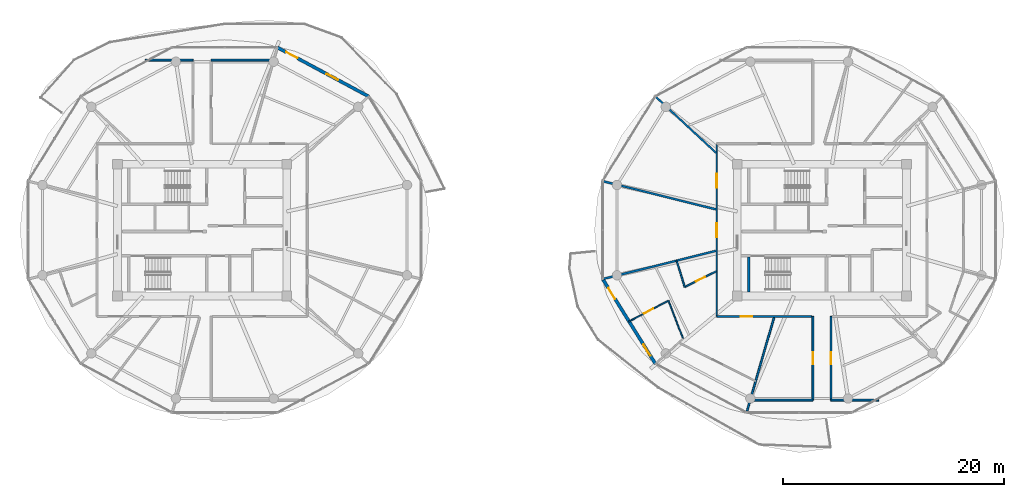
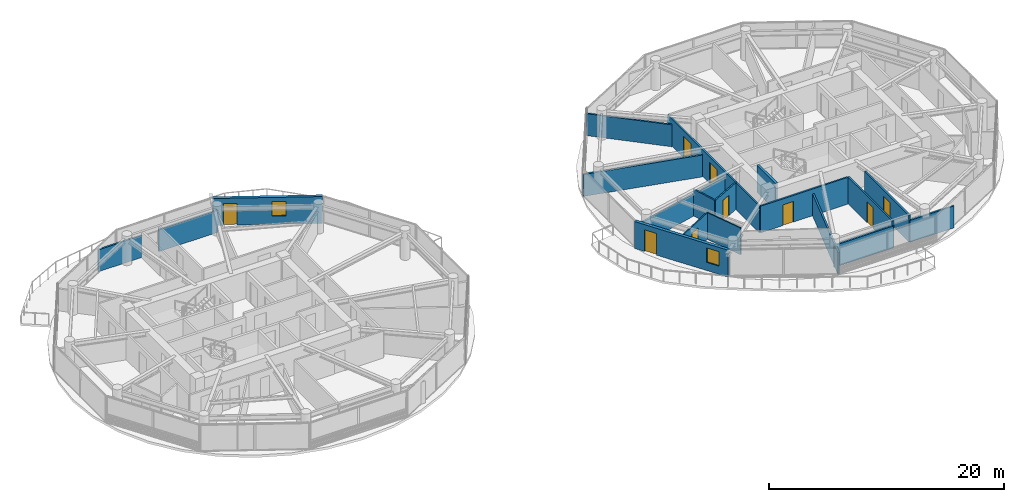
# One storey, part 17 of 23: 19 walls, 9 doors, 2 windows, 11 openings.
"""IFC4 building model written with IfcOpenShell, lengths in metres."""

from ifc_helpers import new_model, si_unit, direction, frame, frame_2d, origin, place, context, subcontext, project, spatial, rectangle, extrude, source, transform, mapped, material, layer, layer_set, type_object, type_shapes, element, fill, save


model = new_model("IFC4")

# Units and contexts
model_context = context("Model", 3, precision=1e-05, world=origin(), true_north=direction((0.0, 1.0)))
body_context = subcontext(model_context, "Body", "Model", "MODEL_VIEW")
ifc_project = project(units=[si_unit("LENGTHUNIT", "METRE"), si_unit("AREAUNIT", "SQUARE_METRE"), si_unit("VOLUMEUNIT", "CUBIC_METRE"), si_unit("PLANEANGLEUNIT", "RADIAN"), si_unit("MASSUNIT", "GRAM", prefix="KILO")], contexts=[model_context])

# Site, building, storey
site_placement = place(None, origin())
site = spatial("IfcSite", under=ifc_project, at=site_placement, CompositionType="ELEMENT")
building_placement = place(site_placement, origin())
building = spatial("IfcBuilding", under=site, at=building_placement, Name="Norrkilde Senior Care Towers", CompositionType="ELEMENT")
storey_placement = place(building_placement, frame((0.0, 0.0, 81.0)))
storey = spatial("IfcBuildingStorey", under=building, at=storey_placement, Name="L24", CompositionType="ELEMENT", Elevation=81.0)

# Wall, openings, door, window
ifc_material_1 = material(Name="Precast concrete C45/55", Category="concrete")
ifc_layer_1 = layer(ifc_material_1, 0.2900390625)
ifc_layer_set_1 = layer_set([ifc_layer_1], Name="Precast concrete C45/55")
wall_type_1 = type_object("IfcWallType", Name="Winter Garden Facade Wall 290", PredefinedType="SOLIDWALL", material=ifc_layer_set_1)
shared_shape_1 = source(origin(), body_context, "Body", "SweptSolid", [
    extrude(rectangle(XDim=9.3505859375, YDim=0.2900390625, at=frame_2d((4.67529296875, 0.0))), origin(), (0.0, 0.0, 1.0), 2.7900390625),
])
wall_1_placement = place(storey_placement, frame((-21.19287109375, 16.498046875, 0.0), z_axis=(0.0, 0.0, 1.0), x_axis=(0.881184411073, -0.472772708267, 0.0)))
wall_1 = element("IfcWall", 1, at=wall_1_placement, inside=storey, type_object=wall_type_1, Name="L24 Drum W Balcony Access Wall 01", PredefinedType="SOLIDWALL", context=body_context, shape_type="MappedRepresentation", body=[
    mapped(shared_shape_1, transform((0.0, 0.0, 0.0), x_axis=(1.0, 0.0, 0.0), y_axis=(0.0, 1.0, 0.0), z_axis=(0.0, 0.0, 1.0), scale=1.0)),
])
opening_1_placement = place(wall_1_placement, frame((0.89990234375, 0.0, 0.0)))
opening_1 = element("IfcOpeningElement", 2, at=opening_1_placement, cuts=wall_1, Name="Opening D-09", PredefinedType="OPENING", context=body_context, shape_type="SweptSolid", body=[
    extrude(rectangle(XDim=1.14990234375, YDim=2.25, at=frame_2d((0.574951171875, 1.125))), frame((0.0, 0.155029296875, 0.0), z_axis=(0.0, -1.0, 0.0), x_axis=(1.0, 0.0, 0.0)), (0.0, 0.0, 1.0), 0.31005859375),
])
opening_2_placement = place(wall_1_placement, frame((5.025146484375, 0.0, 0.85009765625)))
opening_2 = element("IfcOpeningElement", 3, at=opening_2_placement, cuts=wall_1, Name="Opening WN-07", PredefinedType="OPENING", context=body_context, shape_type="SweptSolid", body=[
    extrude(rectangle(XDim=1.199951171875, YDim=1.5, at=frame_2d((0.60009765625, 0.75))), frame((0.0, 0.155029296875, 0.0), z_axis=(0.0, -1.0, 0.0), x_axis=(1.0, 0.0, 0.0)), (0.0, 0.0, 1.0), 0.31005859375),
])
ifc_material_2 = material(Name="Anodised Aluminium", Category="aluminium")
door_type_1 = type_object("IfcDoorType", Name="Terrace and Balcony Glazed Door 1150x2250", OperationType="NOTDEFINED", PredefinedType="DOOR", material=ifc_material_2)
shared_shape_2 = source(origin(), body_context, "Body", "SweptSolid", [
    extrude(rectangle(XDim=1.14990234375, YDim=2.25, at=frame_2d((0.574951171875, 1.125))), frame((0.0, 0.02490234375, 0.0), z_axis=(0.0, -1.0, 0.0), x_axis=(1.0, 0.0, 0.0)), (0.0, 0.0, 1.0), 0.050048828125),
])
type_shapes(door_type_1, [shared_shape_2])
door_1_placement = place(opening_1_placement, origin())
door_1 = element("IfcDoor", 4, at=door_1_placement, inside=storey, type_object=door_type_1, Name="L24 Drum W Outdoor Terrace Door 01", OperationType="SINGLE_SWING_RIGHT", OverallHeight=2.25, OverallWidth=1.14990234375, PredefinedType="DOOR", context=body_context, shape_type="MappedRepresentation", body=[
    mapped(shared_shape_2, transform((0.0, 0.0, 0.0), x_axis=(1.0, 0.0, 0.0), y_axis=(0.0, 1.0, 0.0), z_axis=(0.0, 0.0, 1.0), scale=1.0)),
])
fill(opening_1, door_1)
ifc_material_3 = material(Name="Triple Low-E Insulated Glazing", Category="glass")
window_type = type_object("IfcWindowType", Name="Stairwell Smoke Vent Window 1200x1500", PartitioningType="SINGLE_PANEL", PredefinedType="WINDOW", material=ifc_material_3)
shared_shape_3 = source(origin(), body_context, "Body", "SweptSolid", [
    extrude(rectangle(XDim=1.199951171875, YDim=1.5, at=frame_2d((0.60009765625, 0.75))), frame((0.0, 0.030029296875, 0.0), z_axis=(0.0, -1.0, 0.0), x_axis=(1.0, 0.0, 0.0)), (0.0, 0.0, 1.0), 0.06005859375),
])
type_shapes(window_type, [shared_shape_3])
window_1_placement = place(opening_2_placement, origin())
window_1 = element("IfcWindow", 5, at=window_1_placement, inside=storey, type_object=window_type, Name="L24 Drum W Winter Garden Window 01", OverallHeight=1.5, OverallWidth=1.199951171875, PartitioningType="SINGLE_PANEL", PredefinedType="WINDOW", context=body_context, shape_type="MappedRepresentation", body=[
    mapped(shared_shape_3, transform((0.0, 0.0, 0.0), x_axis=(1.0, 0.0, 0.0), y_axis=(0.0, 1.0, 0.0), z_axis=(0.0, 0.0, 1.0), scale=1.0)),
])
fill(opening_2, window_1)

shared_shape_4 = source(origin(), body_context, "Body", "SweptSolid", [
    extrude(rectangle(XDim=9.01416015625, YDim=0.2900390625, at=frame_2d((4.507080078125, 0.0))), origin(), (0.0, 0.0, 1.0), 2.7900390625),
])
type_shapes(wall_type_1, [shared_shape_1, shared_shape_4])
wall_2_placement = place(storey_placement, frame((12.953369140625, -12.077392578125, 0.0), z_axis=(0.0, 0.0, 1.0), x_axis=(-0.527732945084, 0.849410347637, 0.0)))
wall_2 = element("IfcWall", 6, at=wall_2_placement, inside=storey, type_object=wall_type_1, Name="L24 Drum E Balcony Access Wall 06", PredefinedType="SOLIDWALL", context=body_context, shape_type="MappedRepresentation", body=[
    mapped(shared_shape_4, transform((0.0, 0.0, 0.0), x_axis=(1.0, 0.0, 0.0), y_axis=(0.0, 1.0, 0.0), z_axis=(0.0, 0.0, 1.0), scale=1.0)),
])
opening_3_placement = place(wall_2_placement, frame((6.89990234375, 0.0, 0.0)))
opening_3 = element("IfcOpeningElement", 7, at=opening_3_placement, cuts=wall_2, Name="Opening D-09", PredefinedType="OPENING", context=body_context, shape_type="SweptSolid", body=[
    extrude(rectangle(XDim=1.14990234375, YDim=2.25, at=frame_2d((0.574951171875, 1.125))), frame((0.0, 0.155029296875, 0.0), z_axis=(0.0, -1.0, 0.0), x_axis=(1.0, 0.0, 0.0)), (0.0, 0.0, 1.0), 0.31005859375),
])
opening_4_placement = place(wall_2_placement, frame((0.85009765625, 0.0, 0.85009765625)))
opening_4 = element("IfcOpeningElement", 8, at=opening_4_placement, cuts=wall_2, Name="Opening WN-07", PredefinedType="OPENING", context=body_context, shape_type="SweptSolid", body=[
    extrude(rectangle(XDim=1.199951171875, YDim=1.5, at=frame_2d((0.60009765625, 0.75))), frame((0.0, 0.155029296875, 0.0), z_axis=(0.0, -1.0, 0.0), x_axis=(1.0, 0.0, 0.0)), (0.0, 0.0, 1.0), 0.31005859375),
])
door_2_placement = place(opening_3_placement, origin())
door_2 = element("IfcDoor", 9, at=door_2_placement, inside=storey, type_object=door_type_1, Name="L24 Drum E Outdoor Terrace Door 06", OperationType="SINGLE_SWING_LEFT", OverallHeight=2.25, OverallWidth=1.14990234375, PredefinedType="DOOR", context=body_context, shape_type="MappedRepresentation", body=[
    mapped(shared_shape_2, transform((0.0, 0.0, 0.0), x_axis=(1.0, 0.0, 0.0), y_axis=(0.0, 1.0, 0.0), z_axis=(0.0, 0.0, 1.0), scale=1.0)),
])
fill(opening_3, door_2)
window_2_placement = place(opening_4_placement, origin())
window_2 = element("IfcWindow", 10, at=window_2_placement, inside=storey, type_object=window_type, Name="L24 Drum E Winter Garden Window 06", OverallHeight=1.5, OverallWidth=1.199951171875, PartitioningType="SINGLE_PANEL", PredefinedType="WINDOW", context=body_context, shape_type="MappedRepresentation", body=[
    mapped(shared_shape_3, transform((0.0, 0.0, 0.0), x_axis=(1.0, 0.0, 0.0), y_axis=(0.0, 1.0, 0.0), z_axis=(0.0, 0.0, 1.0), scale=1.0)),
])
fill(opening_4, window_2)

# Wall, openings, doors
ifc_material_4 = material(Name="Gypsum Acoustic Board")
ifc_layer_2 = layer(ifc_material_4, 0.1650390625)
ifc_layer_set_2 = layer_set([ifc_layer_2], Name="Gypsum Acoustic Board")
wall_type_2 = type_object("IfcWallType", Name="Corridor Rated Partition 165", PredefinedType="PARTITIONING", material=ifc_layer_set_2)
shared_shape_5 = source(origin(), body_context, "Body", "SweptSolid", [
    extrude(rectangle(XDim=15.60009765625, YDim=0.1650390625, at=frame_2d((7.800048828125, 0.0))), origin(), (0.0, 0.0, 1.0), 2.77490234375),
])
wall_3_placement = place(storey_placement, frame((18.5, -7.800048828125, 0.0), z_axis=(0.0, 0.0, 1.0), x_axis=(0.0, 1.0, 0.0)))
wall_3 = element("IfcWall", 11, at=wall_3_placement, inside=storey, type_object=wall_type_2, Name="WL-INT-L24-E-CRW-W-0", PredefinedType="PARTITIONING", context=body_context, shape_type="MappedRepresentation", body=[
    mapped(shared_shape_5, transform((0.0, 0.0, 0.0), x_axis=(1.0, 0.0, 0.0), y_axis=(0.0, 1.0, 0.0), z_axis=(0.0, 0.0, 1.0), scale=1.0)),
])
opening_5_placement = place(wall_3_placement, frame((11.622802734375, 0.0, 0.0)))
opening_5 = element("IfcOpeningElement", 12, at=opening_5_placement, cuts=wall_3, Name="Opening D-05", PredefinedType="OPENING", context=body_context, shape_type="SweptSolid", body=[
    extrude(rectangle(XDim=1.25, YDim=2.199951171875, at=frame_2d((0.625, 1.10009765625))), frame((0.0, 0.092529296875, 0.0), z_axis=(0.0, -1.0, 0.0), x_axis=(1.0, 0.0, 0.0)), (0.0, 0.0, 1.0), 0.18505859375),
])
opening_6_placement = place(wall_3_placement, frame((7.175048828125, 0.0, 0.0)))
opening_6 = element("IfcOpeningElement", 13, at=opening_6_placement, cuts=wall_3, Name="Opening D-05", PredefinedType="OPENING", context=body_context, shape_type="SweptSolid", body=[
    extrude(rectangle(XDim=1.25, YDim=2.199951171875, at=frame_2d((0.625, 1.10009765625))), frame((0.0, 0.092529296875, 0.0), z_axis=(0.0, -1.0, 0.0), x_axis=(1.0, 0.0, 0.0)), (0.0, 0.0, 1.0), 0.18505859375),
])
ifc_material_5 = material(Name="Nordic Ash Timber", Category="wood")
door_type_2 = type_object("IfcDoorType", Name="Care Bedroom Bariatric Door 1250x2200", OperationType="NOTDEFINED", PredefinedType="DOOR", material=ifc_material_5)
shared_shape_6 = source(origin(), body_context, "Body", "SweptSolid", [
    extrude(rectangle(XDim=1.25, YDim=2.199951171875, at=frame_2d((0.625, 1.10009765625))), frame((0.0, 0.02490234375, 0.0), z_axis=(0.0, -1.0, 0.0), x_axis=(1.0, 0.0, 0.0)), (0.0, 0.0, 1.0), 0.050048828125),
])
type_shapes(door_type_2, [shared_shape_6])
door_3_placement = place(opening_5_placement, frame((1.25, 0.0, 0.0), z_axis=(0.0, 0.0, 1.0), x_axis=(-1.0, 0.0, 0.0)))
door_3 = element("IfcDoor", 14, at=door_3_placement, inside=storey, type_object=door_type_2, Name="L24 Sky-Garden Observatory Dining Salon L24 Door", OperationType="SINGLE_SWING_LEFT", OverallHeight=2.199951171875, OverallWidth=1.25, PredefinedType="DOOR", context=body_context, shape_type="MappedRepresentation", body=[
    mapped(shared_shape_6, transform((0.0, 0.0, 0.0), x_axis=(1.0, 0.0, 0.0), y_axis=(0.0, 1.0, 0.0), z_axis=(0.0, 0.0, 1.0), scale=1.0)),
])
fill(opening_5, door_3)
door_4_placement = place(opening_6_placement, frame((1.25, 0.0, 0.0), z_axis=(0.0, 0.0, 1.0), x_axis=(-1.0, 0.0, 0.0)))
door_4 = element("IfcDoor", 15, at=door_4_placement, inside=storey, type_object=door_type_2, Name="L24 Senior Wellness Library Lounge Door", OperationType="SINGLE_SWING_RIGHT", OverallHeight=2.199951171875, OverallWidth=1.25, PredefinedType="DOOR", context=body_context, shape_type="MappedRepresentation", body=[
    mapped(shared_shape_6, transform((0.0, 0.0, 0.0), x_axis=(1.0, 0.0, 0.0), y_axis=(0.0, 1.0, 0.0), z_axis=(0.0, 0.0, 1.0), scale=1.0)),
])
fill(opening_6, door_4)

# Wall
ifc_material_6 = material(Name="Concrete C45/55", Category="concrete")
ifc_layer_3 = layer(ifc_material_6, 0.239990234375)
ifc_layer_set_3 = layer_set([ifc_layer_3], Name="Concrete C45/55")
wall_type_3 = type_object("IfcWallType", Name="Shaft and Stair Enclosure Wall 240", PredefinedType="PARTITIONING", material=ifc_layer_set_3)
shared_shape_7 = source(origin(), body_context, "Body", "SweptSolid", [
    extrude(rectangle(XDim=3.14013671875, YDim=0.239990234375, at=frame_2d((1.570068359375, 0.0))), origin(), (0.0, 0.0, 1.0), 2.7900390625),
])
type_shapes(wall_type_3, [shared_shape_7])
wall_4_placement = place(storey_placement, frame((21.3798828125, -5.590087890625, 0.0), z_axis=(0.0, 0.0, 1.0), x_axis=(0.0, 1.0, 0.0)))
element("IfcWall", 16, at=wall_4_placement, inside=storey, type_object=wall_type_3, Name="WL-INT-L24-E-ST2W", PredefinedType="PARTITIONING", context=body_context, shape_type="MappedRepresentation", body=[
    mapped(shared_shape_7, transform((0.0, 0.0, 0.0), x_axis=(1.0, 0.0, 0.0), y_axis=(0.0, 1.0, 0.0), z_axis=(0.0, 0.0, 1.0), scale=1.0)),
])

# Wall, opening, door
shared_shape_8 = source(origin(), body_context, "Body", "SweptSolid", [
    extrude(rectangle(XDim=8.60009765625, YDim=0.1650390625, at=frame_2d((4.300048828125, 0.0))), origin(), (0.0, 0.0, 1.0), 2.77490234375),
])
wall_5_placement = place(storey_placement, frame((27.10009765625, -7.800048828125, 0.0), z_axis=(0.0, 0.0, 1.0), x_axis=(-1.0, 0.0, 0.0)))
wall_5 = element("IfcWall", 17, at=wall_5_placement, inside=storey, type_object=wall_type_2, Name="WL-INT-L24-E-CRW-S-1", PredefinedType="PARTITIONING", context=body_context, shape_type="MappedRepresentation", body=[
    mapped(shared_shape_8, transform((0.0, 0.0, 0.0), x_axis=(1.0, 0.0, 0.0), y_axis=(0.0, 1.0, 0.0), z_axis=(0.0, 0.0, 1.0), scale=1.0)),
])
opening_7_placement = place(wall_5_placement, frame((5.375, 0.0, 0.0)))
opening_7 = element("IfcOpeningElement", 18, at=opening_7_placement, cuts=wall_5, Name="Opening D-06", PredefinedType="OPENING", context=body_context, shape_type="SweptSolid", body=[
    extrude(rectangle(XDim=1.050048828125, YDim=2.14990234375, at=frame_2d((0.52490234375, 1.074951171875))), frame((0.0, 0.092529296875, 0.0), z_axis=(0.0, -1.0, 0.0), x_axis=(1.0, 0.0, 0.0)), (0.0, 0.0, 1.0), 0.18505859375),
])
door_type_3 = type_object("IfcDoorType", Name="Apartment Entrance Fire Door 1050x2150", OperationType="NOTDEFINED", PredefinedType="DOOR", material=ifc_material_5)
shared_shape_9 = source(origin(), body_context, "Body", "SweptSolid", [
    extrude(rectangle(XDim=1.050048828125, YDim=2.14990234375, at=frame_2d((0.52490234375, 1.074951171875))), frame((0.0, 0.02490234375, 0.0), z_axis=(0.0, -1.0, 0.0), x_axis=(1.0, 0.0, 0.0)), (0.0, 0.0, 1.0), 0.050048828125),
])
type_shapes(door_type_3, [shared_shape_9])
door_5_placement = place(opening_7_placement, frame((1.050048828125, 0.0, 0.0), z_axis=(0.0, 0.0, 1.0), x_axis=(-1.0, 0.0, 0.0)))
door_5 = element("IfcDoor", 19, at=door_5_placement, inside=storey, type_object=door_type_3, Name="Apartment 24C Entrance Door", OperationType="SINGLE_SWING_LEFT", OverallHeight=2.14990234375, OverallWidth=1.050048828125, PredefinedType="DOOR", context=body_context, shape_type="MappedRepresentation", body=[
    mapped(shared_shape_9, transform((0.0, 0.0, 0.0), x_axis=(1.0, 0.0, 0.0), y_axis=(0.0, 1.0, 0.0), z_axis=(0.0, 0.0, 1.0), scale=1.0)),
])
fill(opening_7, door_5)

# Walls
shared_shape_10 = source(origin(), body_context, "Body", "SweptSolid", [
    extrude(rectangle(XDim=8.9892578125, YDim=0.1650390625, at=frame_2d((4.49462890625, 0.0))), origin(), (0.0, 0.0, 1.0), 2.27490234375),
])
wall_6_placement = place(storey_placement, frame((23.677978515625, -7.8798828125, 0.0), z_axis=(0.0, 0.0, 1.0), x_axis=(-0.27702323008, -0.960863221274, 0.0)))
element("IfcWall", 20, at=wall_6_placement, inside=storey, type_object=wall_type_2, Name="WL-INT-L24-E-DEM-08-0", PredefinedType="PARTITIONING", context=body_context, shape_type="MappedRepresentation", body=[
    mapped(shared_shape_10, transform((0.0, 0.0, 0.0), x_axis=(1.0, 0.0, 0.0), y_axis=(0.0, 1.0, 0.0), z_axis=(0.0, 0.0, 1.0), scale=1.0)),
])
shared_shape_11 = source(origin(), body_context, "Body", "SweptSolid", [
    extrude(rectangle(XDim=7.482177734375, YDim=0.1650390625, at=frame_2d((3.7412109375, 0.0))), origin(), (0.0, 0.0, 1.0), 2.27490234375),
])
wall_7_placement = place(storey_placement, frame((18.419921875, 6.998046875, 0.0), z_axis=(0.0, 0.0, 1.0), x_axis=(-0.732508698043, 0.680757671489, 0.0)))
element("IfcWall", 21, at=wall_7_placement, inside=storey, type_object=wall_type_2, Name="WL-INT-L24-E-DEM-04-0", PredefinedType="PARTITIONING", context=body_context, shape_type="MappedRepresentation", body=[
    mapped(shared_shape_11, transform((0.0, 0.0, 0.0), x_axis=(1.0, 0.0, 0.0), y_axis=(0.0, 1.0, 0.0), z_axis=(0.0, 0.0, 1.0), scale=1.0)),
])

# Wall, opening, door
shared_shape_12 = source(origin(), body_context, "Body", "SweptSolid", [
    extrude(rectangle(XDim=7.56005859375, YDim=0.1650390625, at=frame_2d((3.780029296875, 0.0))), origin(), (0.0, 0.0, 1.0), 2.77490234375),
])
wall_8_placement = place(storey_placement, frame((27.179931640625, -15.360107421875, 0.0), z_axis=(0.0, 0.0, 1.0), x_axis=(0.0, 1.0, 0.0)))
wall_8 = element("IfcWall", 22, at=wall_8_placement, inside=storey, type_object=wall_type_2, Name="WL-INT-L24-E-PKW-SWL", PredefinedType="PARTITIONING", context=body_context, shape_type="MappedRepresentation", body=[
    mapped(shared_shape_12, transform((0.0, 0.0, 0.0), x_axis=(1.0, 0.0, 0.0), y_axis=(0.0, 1.0, 0.0), z_axis=(0.0, 0.0, 1.0), scale=1.0)),
])
opening_8_placement = place(wall_8_placement, frame((3.2548828125, 0.0, 0.0)))
opening_8 = element("IfcOpeningElement", 23, at=opening_8_placement, cuts=wall_8, Name="Opening D-06", PredefinedType="OPENING", context=body_context, shape_type="SweptSolid", body=[
    extrude(rectangle(XDim=1.050048828125, YDim=2.14990234375, at=frame_2d((0.52490234375, 1.074951171875))), frame((0.0, 0.092529296875, 0.0), z_axis=(0.0, -1.0, 0.0), x_axis=(1.0, 0.0, 0.0)), (0.0, 0.0, 1.0), 0.18505859375),
])
door_6_placement = place(opening_8_placement, frame((1.050048828125, 0.0, 0.0), z_axis=(0.0, 0.0, 1.0), x_axis=(-1.0, 0.0, 0.0)))
door_6 = element("IfcDoor", 24, at=door_6_placement, inside=storey, type_object=door_type_3, Name="L24 Reading Lounge SWL Door", OperationType="SINGLE_SWING_RIGHT", OverallHeight=2.14990234375, OverallWidth=1.050048828125, PredefinedType="DOOR", context=body_context, shape_type="MappedRepresentation", body=[
    mapped(shared_shape_9, transform((0.0, 0.0, 0.0), x_axis=(1.0, 0.0, 0.0), y_axis=(0.0, 1.0, 0.0), z_axis=(0.0, 0.0, 1.0), scale=1.0)),
])
fill(opening_8, door_6)

wall_9_placement = place(storey_placement, frame((28.820068359375, -15.360107421875, 0.0), z_axis=(0.0, 0.0, 1.0), x_axis=(0.0, 1.0, 0.0)))
wall_9 = element("IfcWall", 25, at=wall_9_placement, inside=storey, type_object=wall_type_2, Name="WL-INT-L24-E-PKW-SEL", PredefinedType="PARTITIONING", context=body_context, shape_type="MappedRepresentation", body=[
    mapped(shared_shape_12, transform((0.0, 0.0, 0.0), x_axis=(1.0, 0.0, 0.0), y_axis=(0.0, 1.0, 0.0), z_axis=(0.0, 0.0, 1.0), scale=1.0)),
])
opening_9_placement = place(wall_9_placement, frame((3.2548828125, 0.0, 0.0)))
opening_9 = element("IfcOpeningElement", 26, at=opening_9_placement, cuts=wall_9, Name="Opening D-06", PredefinedType="OPENING", context=body_context, shape_type="SweptSolid", body=[
    extrude(rectangle(XDim=1.050048828125, YDim=2.14990234375, at=frame_2d((0.52490234375, 1.074951171875))), frame((0.0, 0.092529296875, 0.0), z_axis=(0.0, -1.0, 0.0), x_axis=(1.0, 0.0, 0.0)), (0.0, 0.0, 1.0), 0.18505859375),
])
door_7_placement = place(opening_9_placement, frame((1.050048828125, 0.0, 0.0), z_axis=(0.0, 0.0, 1.0), x_axis=(-1.0, 0.0, 0.0)))
door_7 = element("IfcDoor", 27, at=door_7_placement, inside=storey, type_object=door_type_3, Name="L24 Reading Lounge SEL Door", OperationType="SINGLE_SWING_RIGHT", OverallHeight=2.14990234375, OverallWidth=1.050048828125, PredefinedType="DOOR", context=body_context, shape_type="MappedRepresentation", body=[
    mapped(shared_shape_9, transform((0.0, 0.0, 0.0), x_axis=(1.0, 0.0, 0.0), y_axis=(0.0, 1.0, 0.0), z_axis=(0.0, 0.0, 1.0), scale=1.0)),
])
fill(opening_9, door_7)

# Walls
shared_shape_13 = source(origin(), body_context, "Body", "SweptSolid", [
    extrude(rectangle(XDim=4.306884765625, YDim=0.1650390625, at=frame_2d((2.1533203125, 0.0))), origin(), (0.0, 0.0, 1.0), 2.27490234375),
])
for number, where, z_axis, x_axis, name in (
    (28, (-33.126953125, 15.360107421875, 0.0), (0.0, 0.0, 1.0), (1.0, 0.0, 0.0), "WL-INT-L24-W-PKH-NWL-0"),
    (29, (28.820068359375, -15.360107421875, 0.0), (0.0, 0.0, 1.0), (1.0, 0.0, 0.0), "WL-INT-L24-E-PKH-SEL-0"),
):
    element("IfcWall", number, at=place(storey_placement, frame(where, z_axis=z_axis, x_axis=x_axis)), inside=storey, type_object=wall_type_2, Name=name, PredefinedType="PARTITIONING", context=body_context, shape_type="MappedRepresentation", body=[
        mapped(shared_shape_13, transform((0.0, 0.0, 0.0), x_axis=(1.0, 0.0, 0.0), y_axis=(0.0, 1.0, 0.0), z_axis=(0.0, 0.0, 1.0), scale=1.0)),
    ])
shared_shape_14 = source(origin(), body_context, "Body", "SweptSolid", [
    extrude(rectangle(XDim=5.81396484375, YDim=0.1650390625, at=frame_2d((2.906982421875, 0.0))), origin(), (0.0, 0.0, 1.0), 2.27490234375),
])
type_shapes(wall_type_2, [shared_shape_5, shared_shape_8, shared_shape_10, shared_shape_11, shared_shape_12, shared_shape_13, shared_shape_14])
for number, where, z_axis, x_axis, name in (
    (30, (-27.179931640625, 15.360107421875, 0.0), (0.0, 0.0, 1.0), (1.0, 0.0, 0.0), "WL-INT-L24-W-PKH-NEL-0"),
    (31, (21.365966796875, -15.360107421875, 0.0), (0.0, 0.0, 1.0), (1.0, 0.0, 0.0), "WL-INT-L24-E-PKH-SWL-0"),
):
    element("IfcWall", number, at=place(storey_placement, frame(where, z_axis=z_axis, x_axis=x_axis)), inside=storey, type_object=wall_type_2, Name=name, PredefinedType="PARTITIONING", context=body_context, shape_type="MappedRepresentation", body=[
        mapped(shared_shape_14, transform((0.0, 0.0, 0.0), x_axis=(1.0, 0.0, 0.0), y_axis=(0.0, 1.0, 0.0), z_axis=(0.0, 0.0, 1.0), scale=1.0)),
    ])
ifc_layer_4 = layer(ifc_material_4, 0.18994140625)
ifc_layer_set_4 = layer_set([ifc_layer_4], Name="Gypsum Acoustic Board")
wall_type_4 = type_object("IfcWallType", Name="Unit Demising Acoustic Wall 190", PredefinedType="PARTITIONING", material=ifc_layer_set_4)
shared_shape_15 = source(origin(), body_context, "Body", "SweptSolid", [
    extrude(rectangle(XDim=10.5556640625, YDim=0.18994140625, at=frame_2d((5.27783203125, 0.0))), origin(), (0.0, 0.0, 1.0), 2.27490234375),
])
type_shapes(wall_type_4, [shared_shape_15])
for number, where, z_axis, x_axis, name in (
    (32, (18.419921875, 1.875, 0.0), (0.0, 0.0, 1.0), (-0.970363857851, 0.241648470667, 0.0), "WL-INT-L24-E-DEM-05-0"),
    (33, (18.419921875, -1.875, 0.0), (0.0, 0.0, 1.0), (-0.970363857851, -0.241648470667, 0.0), "WL-INT-L24-E-DEM-06-0"),
):
    element("IfcWall", number, at=place(storey_placement, frame(where, z_axis=z_axis, x_axis=x_axis)), inside=storey, type_object=wall_type_4, Name=name, PredefinedType="PARTITIONING", context=body_context, shape_type="MappedRepresentation", body=[
        mapped(shared_shape_15, transform((0.0, 0.0, 0.0), x_axis=(1.0, 0.0, 0.0), y_axis=(0.0, 1.0, 0.0), z_axis=(0.0, 0.0, 1.0), scale=1.0)),
    ])

# Wall, opening, door
ifc_layer_5 = layer(ifc_material_4, 0.139892578125)
ifc_layer_set_5 = layer_set([ifc_layer_5], Name="Gypsum Acoustic Board")
wall_type_5 = type_object("IfcWallType", Name="En-suite Wet Room Wall 140", PredefinedType="PARTITIONING", material=ifc_layer_set_5)
shared_shape_16 = source(origin(), body_context, "Body", "SweptSolid", [
    extrude(rectangle(XDim=3.20263671875, YDim=0.139892578125, at=frame_2d((1.601318359375, 0.0))), origin(), (0.0, 0.0, 1.0), 2.77490234375),
])
wall_10_placement = place(storey_placement, frame((18.469970703125, -3.716552734375, 0.0), z_axis=(0.0, 0.0, 1.0), x_axis=(-0.895552551978, -0.444955758077, 0.0)))
wall_10 = element("IfcWall", 34, at=wall_10_placement, inside=storey, type_object=wall_type_5, Name="WL-INT-L24-E-UBTS-06", PredefinedType="PARTITIONING", context=body_context, shape_type="MappedRepresentation", body=[
    mapped(shared_shape_16, transform((0.0, 0.0, 0.0), x_axis=(1.0, 0.0, 0.0), y_axis=(0.0, 1.0, 0.0), z_axis=(0.0, 0.0, 1.0), scale=1.0)),
])
opening_10_placement = place(wall_10_placement, frame((1.141357421875, 0.0, 0.0)))
opening_10 = element("IfcOpeningElement", 35, at=opening_10_placement, cuts=wall_10, Name="Opening D-08", PredefinedType="OPENING", context=body_context, shape_type="SweptSolid", body=[
    extrude(rectangle(XDim=0.919921875, YDim=2.10009765625, at=frame_2d((0.4599609375, 1.050048828125))), frame((0.0, 0.079833984375, 0.0), z_axis=(0.0, -1.0, 0.0), x_axis=(1.0, 0.0, 0.0)), (0.0, 0.0, 1.0), 0.159912109375),
])
door_type_4 = type_object("IfcDoorType", Name="Accessible Wet Room Door 920x2100", OperationType="NOTDEFINED", PredefinedType="DOOR", material=ifc_material_5)
shared_shape_17 = source(origin(), body_context, "Body", "SweptSolid", [
    extrude(rectangle(XDim=0.919921875, YDim=2.10009765625, at=frame_2d((0.4599609375, 1.050048828125))), frame((0.0, 0.02490234375, 0.0), z_axis=(0.0, -1.0, 0.0), x_axis=(1.0, 0.0, 0.0)), (0.0, 0.0, 1.0), 0.050048828125),
])
type_shapes(door_type_4, [shared_shape_17])
door_8_placement = place(opening_10_placement, origin())
door_8 = element("IfcDoor", 36, at=door_8_placement, inside=storey, type_object=door_type_4, Name="Apartment 24C Bathroom Door", OperationType="SINGLE_SWING_RIGHT", OverallHeight=2.10009765625, OverallWidth=0.919921875, PredefinedType="DOOR", context=body_context, shape_type="MappedRepresentation", body=[
    mapped(shared_shape_17, transform((0.0, 0.0, 0.0), x_axis=(1.0, 0.0, 0.0), y_axis=(0.0, 1.0, 0.0), z_axis=(0.0, 0.0, 1.0), scale=1.0)),
])
fill(opening_10, door_8)

# Wall
shared_shape_18 = source(origin(), body_context, "Body", "SweptSolid", [
    extrude(rectangle(XDim=2.4775390625, YDim=0.139892578125, at=frame_2d((1.23876953125, 0.0))), origin(), (0.0, 0.0, 1.0), 2.77490234375),
])
type_shapes(wall_type_5, [shared_shape_16, shared_shape_18])
wall_11_placement = place(storey_placement, frame((15.601806640625, -5.1416015625, 0.0), z_axis=(0.0, 0.0, 1.0), x_axis=(-0.293372504398, 0.955998207981, 0.0)))
element("IfcWall", 37, at=wall_11_placement, inside=storey, type_object=wall_type_5, Name="WL-INT-L24-E-UBTF-06", PredefinedType="PARTITIONING", context=body_context, shape_type="MappedRepresentation", body=[
    mapped(shared_shape_18, transform((0.0, 0.0, 0.0), x_axis=(1.0, 0.0, 0.0), y_axis=(0.0, 1.0, 0.0), z_axis=(0.0, 0.0, 1.0), scale=1.0)),
])

# Wall, opening, door
ifc_layer_6 = layer(ifc_material_4, 0.114990234375)
ifc_layer_set_6 = layer_set([ifc_layer_6], Name="Gypsum Acoustic Board")
wall_type_6 = type_object("IfcWallType", Name="Internal Room Partition 115", PredefinedType="PARTITIONING", material=ifc_layer_set_6)
shared_shape_19 = source(origin(), body_context, "Body", "SweptSolid", [
    extrude(rectangle(XDim=4.041748046875, YDim=0.114990234375, at=frame_2d((2.02099609375, 0.0))), origin(), (0.0, 0.0, 1.0), 2.77490234375),
])
wall_12_placement = place(storey_placement, frame((14.134033203125, -6.375, 0.0), z_axis=(0.0, 0.0, 1.0), x_axis=(-0.88476748851, -0.466032714812, 0.0)))
wall_12 = element("IfcWall", 38, at=wall_12_placement, inside=storey, type_object=wall_type_6, Name="WL-INT-L24-E-UKTS-06", PredefinedType="PARTITIONING", context=body_context, shape_type="MappedRepresentation", body=[
    mapped(shared_shape_19, transform((0.0, 0.0, 0.0), x_axis=(1.0, 0.0, 0.0), y_axis=(0.0, 1.0, 0.0), z_axis=(0.0, 0.0, 1.0), scale=1.0)),
])
opening_11_placement = place(wall_12_placement, frame((1.5458984375, 0.0, 0.0)))
opening_11 = element("IfcOpeningElement", 39, at=opening_11_placement, cuts=wall_12, Name="Opening D-07", PredefinedType="OPENING", context=body_context, shape_type="SweptSolid", body=[
    extrude(rectangle(XDim=0.949951171875, YDim=2.10009765625, at=frame_2d((0.47509765625, 1.050048828125))), frame((0.0, 0.0673828125, 0.0), z_axis=(0.0, -1.0, 0.0), x_axis=(1.0, 0.0, 0.0)), (0.0, 0.0, 1.0), 0.135009765625),
])
door_type_5 = type_object("IfcDoorType", Name="Internal Suite Bedroom Door 950x2100", OperationType="NOTDEFINED", PredefinedType="DOOR", material=ifc_material_5)
shared_shape_20 = source(origin(), body_context, "Body", "SweptSolid", [
    extrude(rectangle(XDim=0.949951171875, YDim=2.10009765625, at=frame_2d((0.47509765625, 1.050048828125))), frame((0.0, 0.02490234375, 0.0), z_axis=(0.0, -1.0, 0.0), x_axis=(1.0, 0.0, 0.0)), (0.0, 0.0, 1.0), 0.050048828125),
])
type_shapes(door_type_5, [shared_shape_20])
door_9_placement = place(opening_11_placement, frame((0.949951171875, 0.0, 0.0), z_axis=(0.0, 0.0, 1.0), x_axis=(-1.0, 0.0, 0.0)))
door_9 = element("IfcDoor", 40, at=door_9_placement, inside=storey, type_object=door_type_5, Name="Apartment 24C Kitchen Door", OperationType="SINGLE_SWING_LEFT", OverallHeight=2.10009765625, OverallWidth=0.949951171875, PredefinedType="DOOR", context=body_context, shape_type="MappedRepresentation", body=[
    mapped(shared_shape_20, transform((0.0, 0.0, 0.0), x_axis=(1.0, 0.0, 0.0), y_axis=(0.0, 1.0, 0.0), z_axis=(0.0, 0.0, 1.0), scale=1.0)),
])
fill(opening_11, door_9)

# Wall
shared_shape_21 = source(origin(), body_context, "Body", "SweptSolid", [
    extrude(rectangle(XDim=3.677001953125, YDim=0.114990234375, at=frame_2d((1.83837890625, 0.0))), origin(), (0.0, 0.0, 1.0), 2.77490234375),
])
type_shapes(wall_type_6, [shared_shape_19, shared_shape_21])
wall_13_placement = place(storey_placement, frame((14.134033203125, -6.375, 0.0), z_axis=(0.0, 0.0, 1.0), x_axis=(0.359592980271, -0.933109258629, 0.0)))
element("IfcWall", 41, at=wall_13_placement, inside=storey, type_object=wall_type_6, Name="WL-INT-L24-E-UKTF-06", PredefinedType="PARTITIONING", context=body_context, shape_type="MappedRepresentation", body=[
    mapped(shared_shape_21, transform((0.0, 0.0, 0.0), x_axis=(1.0, 0.0, 0.0), y_axis=(0.0, 1.0, 0.0), z_axis=(0.0, 0.0, 1.0), scale=1.0)),
])

save(model, "model.ifc")
